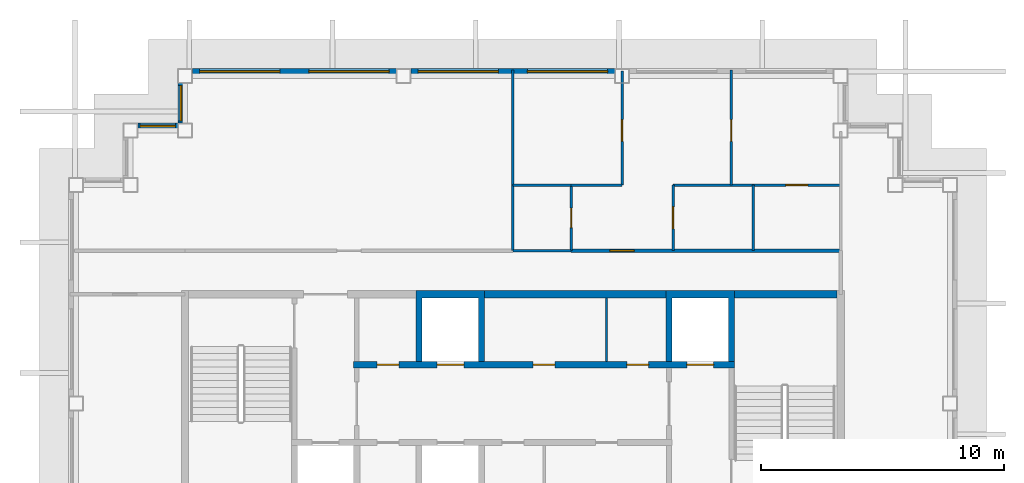
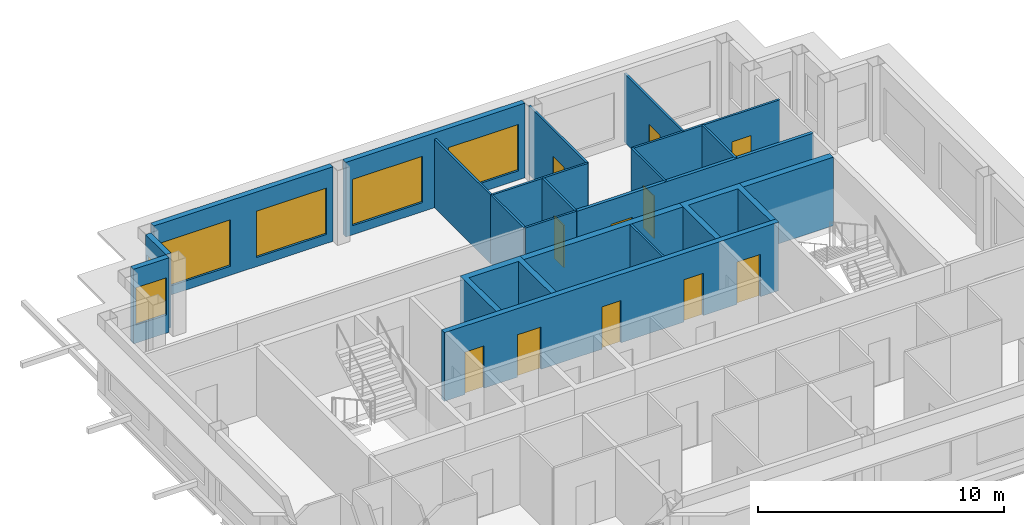
# One storey, part 4 of 10: 22 walls, 11 doors, 6 windows, 17 openings.
"""IFC4 building model written with IfcOpenShell, lengths in metres."""

from ifc_helpers import new_model, si_unit, direction, frame, frame_2d, origin, place, context, subcontext, project, spatial, polyline, rectangle, outline, extrude, material, layer, layer_set, type_object, element, fill, save


model = new_model("IFC4")

# Units and contexts
model_context = context("Model", 3, precision=1e-05, world=origin(), true_north=direction((0.0, 1.0)))
body_context = subcontext(model_context, "Body", "Model", "MODEL_VIEW")
ifc_project = project(units=[si_unit("LENGTHUNIT", "METRE"), si_unit("AREAUNIT", "SQUARE_METRE"), si_unit("VOLUMEUNIT", "CUBIC_METRE"), si_unit("PLANEANGLEUNIT", "RADIAN"), si_unit("MASSUNIT", "GRAM", prefix="KILO")], contexts=[model_context])

# Site, building, storey
site_placement = place(None, origin())
site = spatial("IfcSite", under=ifc_project, at=site_placement, CompositionType="ELEMENT")
building_placement = place(site_placement, origin())
building = spatial("IfcBuilding", under=site, at=building_placement, Name="Caravel Reach Hotel and Residences", CompositionType="ELEMENT")
storey_placement = place(building_placement, frame((0.0, 0.0, 290.800048828125)))
storey = spatial("IfcBuildingStorey", under=building, at=storey_placement, Name="L74", CompositionType="ELEMENT", Elevation=290.800048828125)

# Walls
ifc_material_1 = material(Name="Gypsum board on steel stud", Category="steel")
ifc_layer_1 = layer(ifc_material_1, 0.10009765625)
ifc_layer_set_1 = layer_set([ifc_layer_1], Name="Bathroom pod wall 100 mm")
wall_type_1 = type_object("IfcWallType", Name="Bathroom pod wall 100 mm", PredefinedType="PARTITIONING", material=ifc_layer_set_1)
for number, where, z_axis, x_axis, name in (
    (1, (31.5, 33.300048828125, 0.0), (0.0, 0.0, 1.0), (1.0, 0.0, 0.0), "L74 wall w052"),
    (2, (31.5, 36.0, 0.0), (0.0, 0.0, 1.0), (1.0, 0.0, 0.0), "L74 wall w053"),
):
    element("IfcWall", number, at=place(storey_placement, frame(where, z_axis=z_axis, x_axis=x_axis)), inside=storey, type_object=wall_type_1, Name=name, PredefinedType="PARTITIONING", context=body_context, shape_type="SweptSolid", body=[
        extrude(rectangle(XDim=2.39990234375, YDim=0.10009765625, at=frame_2d((1.199951171875, 0.0))), origin(), (0.0, 0.0, 1.0), 3.39990234375),
    ])
wall_1_placement = place(storey_placement, frame((31.5, 33.300048828125, 0.0), z_axis=(0.0, 0.0, 1.0), x_axis=(0.0, 1.0, 0.0)))
element("IfcWall", 3, at=wall_1_placement, inside=storey, type_object=wall_type_1, Name="L74 wall w057", PredefinedType="PARTITIONING", context=body_context, shape_type="SweptSolid", body=[
    extrude(rectangle(XDim=2.699951171875, YDim=0.10009765625, at=frame_2d((1.35009765625, 0.0))), origin(), (0.0, 0.0, 1.0), 3.39990234375),
])

# Wall, opening, door
wall_2_placement = place(storey_placement, frame((33.89990234375, 33.300048828125, 0.0), z_axis=(0.0, 0.0, 1.0), x_axis=(0.0, 1.0, 0.0)))
wall_2 = element("IfcWall", 4, at=wall_2_placement, inside=storey, type_object=wall_type_1, Name="L74 wall w059", PredefinedType="PARTITIONING", context=body_context, shape_type="SweptSolid", body=[
    extrude(rectangle(XDim=2.699951171875, YDim=0.10009765625, at=frame_2d((1.35009765625, 0.0))), origin(), (0.0, 0.0, 1.0), 3.39990234375),
])
opening_1_placement = place(wall_2_placement, frame((0.949951171875, 0.0, 0.0)))
opening_1 = element("IfcOpeningElement", 5, at=opening_1_placement, cuts=wall_2, Name="Opening D74-019", PredefinedType="OPENING", context=body_context, shape_type="SweptSolid", body=[
    extrude(rectangle(XDim=0.800048828125, YDim=2.10009765625, at=frame_2d((0.39990234375, 1.050048828125))), frame((0.0, 0.06005859375, 0.0), z_axis=(0.0, -1.0, 0.0), x_axis=(1.0, 0.0, 0.0)), (0.0, 0.0, 1.0), 0.1201171875),
])
ifc_material_2 = material(Name="Timber and steel door leaf", Category="steel")
door_type_1 = type_object("IfcDoorType", Name="Bathroom door 800 x 2100", OperationType="SINGLE_SWING_LEFT", PredefinedType="DOOR", material=ifc_material_2)
door_1_placement = place(opening_1_placement, origin())
door_1 = element("IfcDoor", 6, at=door_1_placement, inside=storey, type_object=door_type_1, Name="door D74-019", OperationType="SINGLE_SWING_RIGHT", OverallHeight=2.10009765625, OverallWidth=0.800048828125, PredefinedType="DOOR", context=body_context, shape_type="SweptSolid", body=[
    extrude(rectangle(XDim=0.800048828125, YDim=2.10009765625, at=frame_2d((0.39990234375, 1.050048828125))), frame((0.0, 0.02490234375, 0.0), z_axis=(0.0, -1.0, 0.0), x_axis=(1.0, 0.0, 0.0)), (0.0, 0.0, 1.0), 0.050048828125),
])
fill(opening_1, door_1)

# Walls
ifc_material_3 = material(Name="Concrete C60", Category="concrete")
ifc_layer_2 = layer(ifc_material_3, 0.300048828125)
ifc_layer_set_2 = layer_set([ifc_layer_2], Name="Core wall 300 mm EI 120")
wall_type_2 = type_object("IfcWallType", Name="Core wall 300 mm EI 120", PredefinedType="SHEAR", material=ifc_layer_set_2)
wall_3_placement = place(storey_placement, frame((30.33935546875, 31.5, 0.0), z_axis=(0.0, 0.0, 1.0), x_axis=(1.0, 0.0, 0.0)))
element("IfcWall", 7, at=wall_3_placement, inside=storey, type_object=wall_type_2, Name="L74 core wall N2", PredefinedType="SHEAR", context=body_context, shape_type="SweptSolid", body=[
    extrude(rectangle(XDim=7.464111328125, YDim=0.300048828125, at=frame_2d((3.73193359375, 0.0))), origin(), (0.0, 0.0, 1.0), 3.39990234375),
])
wall_4_placement = place(storey_placement, frame((40.625, 31.5, 0.0), z_axis=(0.0, 0.0, 1.0), x_axis=(1.0, 0.0, 0.0)))
element("IfcWall", 8, at=wall_4_placement, inside=storey, type_object=wall_type_2, Name="L74 core wall N3", PredefinedType="SHEAR", context=body_context, shape_type="SweptSolid", body=[
    extrude(rectangle(XDim=4.22509765625, YDim=0.300048828125, at=frame_2d((2.112548828125, 0.0))), origin(), (0.0, 0.0, 1.0), 3.39990234375),
])

# Wall, opening, door
ifc_material_4 = material(Name="Gypsum board on steel stud, fire-rated", Category="steel")
ifc_layer_3 = layer(ifc_material_4, 0.14990234375)
ifc_layer_set_3 = layer_set([ifc_layer_3], Name="Corridor wall 150 mm EI 60")
wall_type_3 = type_object("IfcWallType", Name="Corridor wall 150 mm EI 60", PredefinedType="PARTITIONING", material=ifc_layer_set_3)
wall_5_placement = place(storey_placement, frame((33.89990234375, 33.300048828125, 0.0), z_axis=(0.0, 0.0, 1.0), x_axis=(1.0, 0.0, 0.0)))
wall_5 = element("IfcWall", 9, at=wall_5_placement, inside=storey, type_object=wall_type_3, Name="L74 wall w012", PredefinedType="PARTITIONING", context=body_context, shape_type="SweptSolid", body=[
    extrude(rectangle(XDim=11.10009765625, YDim=0.14990234375, at=frame_2d((5.550048828125, 0.0))), origin(), (0.0, 0.0, 1.0), 3.39990234375),
])
opening_2_placement = place(wall_5_placement, frame((1.60009765625, 0.0, 0.0)))
opening_2 = element("IfcOpeningElement", 10, at=opening_2_placement, cuts=wall_5, Name="Opening D74-018", PredefinedType="OPENING", context=body_context, shape_type="SweptSolid", body=[
    extrude(rectangle(XDim=1.0, YDim=2.199951171875, at=frame_2d((0.5, 1.10009765625))), frame((0.0, 0.0849609375, 0.0), z_axis=(0.0, -1.0, 0.0), x_axis=(1.0, 0.0, 0.0)), (0.0, 0.0, 1.0), 0.169921875),
])
ifc_material_5 = material(Name="Steel fire door leaf", Category="steel")
door_type_2 = type_object("IfcDoorType", Name="Flat entrance door 1000 x 2200 EI 60", OperationType="SINGLE_SWING_LEFT", PredefinedType="DOOR", material=ifc_material_5)
door_2_placement = place(opening_2_placement, origin())
door_2 = element("IfcDoor", 11, at=door_2_placement, inside=storey, type_object=door_type_2, Name="door D74-018", OperationType="SINGLE_SWING_RIGHT", OverallHeight=2.199951171875, OverallWidth=1.0, PredefinedType="DOOR", context=body_context, shape_type="SweptSolid", body=[
    extrude(rectangle(XDim=1.0, YDim=2.199951171875, at=frame_2d((0.5, 1.10009765625))), frame((0.0, 0.02490234375, 0.0), z_axis=(0.0, -1.0, 0.0), x_axis=(1.0, 0.0, 0.0)), (0.0, 0.0, 1.0), 0.050048828125),
])
fill(opening_2, door_2)

# Wall, openings, windows
ifc_material_6 = material(Name="Insulated rainscreen wall, aluminium cladding", Category="aluminium")
ifc_layer_4 = layer(ifc_material_6, 0.25)
ifc_layer_set_4 = layer_set([ifc_layer_4], Name="EW1 Tower rainscreen wall")
wall_type_4 = type_object("IfcWallType", Name="EW1 Tower rainscreen wall", PredefinedType="SOLIDWALL", material=ifc_layer_set_4)
wall_6_placement = place(storey_placement, frame((35.699951171875, 40.675048828125, 0.0), z_axis=(0.0, 0.0, 1.0), x_axis=(-1.0, 0.0, 0.0)))
wall_6 = element("IfcWall", 12, at=wall_6_placement, inside=storey, type_object=wall_type_4, Name="External wall L74 N10.2", PredefinedType="SOLIDWALL", context=body_context, shape_type="SweptSolid", body=[
    extrude(rectangle(XDim=8.39990234375, YDim=0.25, at=frame_2d((4.199951171875, 0.0))), origin(), (0.0, 0.0, 1.0), 3.699951171875),
])
opening_3_placement = place(wall_6_placement, frame((0.300048828125, 0.0, 0.449951171875)))
opening_3 = element("IfcOpeningElement", 13, at=opening_3_placement, cuts=wall_6, Name="Opening WN15", PredefinedType="OPENING", context=body_context, shape_type="SweptSolid", body=[
    extrude(rectangle(XDim=3.300048828125, YDim=2.300048828125, at=frame_2d((1.64990234375, 1.14990234375))), frame((0.0, 0.135009765625, 0.0), z_axis=(0.0, -1.0, 0.0), x_axis=(1.0, 0.0, 0.0)), (0.0, 0.0, 1.0), 0.27001953125),
])
opening_4_placement = place(wall_6_placement, frame((4.800048828125, 0.0, 0.449951171875)))
opening_4 = element("IfcOpeningElement", 14, at=opening_4_placement, cuts=wall_6, Name="Opening WN15", PredefinedType="OPENING", context=body_context, shape_type="SweptSolid", body=[
    extrude(rectangle(XDim=3.300048828125, YDim=2.300048828125, at=frame_2d((1.64990234375, 1.14990234375))), frame((0.0, 0.135009765625, 0.0), z_axis=(0.0, -1.0, 0.0), x_axis=(1.0, 0.0, 0.0)), (0.0, 0.0, 1.0), 0.27001953125),
])
ifc_material_7 = material(Name="Dark low-e glazing in black aluminium frame", Category="aluminium")
window_type_1 = type_object("IfcWindowType", Name="Residence living window 3300 x 2300", PartitioningType="SINGLE_PANEL", PredefinedType="WINDOW", material=ifc_material_7)
window_1_placement = place(opening_3_placement, origin())
window_1 = element("IfcWindow", 15, at=window_1_placement, inside=storey, type_object=window_type_1, Name="Window L74 N10.2.1", OverallHeight=2.300048828125, OverallWidth=3.300048828125, PartitioningType="SINGLE_PANEL", PredefinedType="WINDOW", context=body_context, shape_type="SweptSolid", body=[
    extrude(rectangle(XDim=3.300048828125, YDim=2.300048828125, at=frame_2d((1.64990234375, 1.14990234375))), frame((0.0, 0.030029296875, 0.0), z_axis=(0.0, -1.0, 0.0), x_axis=(1.0, 0.0, 0.0)), (0.0, 0.0, 1.0), 0.06005859375),
])
fill(opening_3, window_1)
window_2_placement = place(opening_4_placement, origin())
window_2 = element("IfcWindow", 16, at=window_2_placement, inside=storey, type_object=window_type_1, Name="Window L74 N10.2.2", OverallHeight=2.300048828125, OverallWidth=3.300048828125, PartitioningType="SINGLE_PANEL", PredefinedType="WINDOW", context=body_context, shape_type="SweptSolid", body=[
    extrude(rectangle(XDim=3.300048828125, YDim=2.300048828125, at=frame_2d((1.64990234375, 1.14990234375))), frame((0.0, 0.030029296875, 0.0), z_axis=(0.0, -1.0, 0.0), x_axis=(1.0, 0.0, 0.0)), (0.0, 0.0, 1.0), 0.06005859375),
])
fill(opening_4, window_2)

wall_7_placement = place(storey_placement, frame((26.699951171875, 40.675048828125, 0.0), z_axis=(0.0, 0.0, 1.0), x_axis=(-1.0, 0.0, 0.0)))
wall_7 = element("IfcWall", 17, at=wall_7_placement, inside=storey, type_object=wall_type_4, Name="External wall L74 N10.3", PredefinedType="SOLIDWALL", context=body_context, shape_type="SweptSolid", body=[
    extrude(rectangle(XDim=8.39990234375, YDim=0.25, at=frame_2d((4.199951171875, 0.0))), origin(), (0.0, 0.0, 1.0), 3.699951171875),
])
opening_5_placement = place(wall_7_placement, frame((0.300048828125, 0.0, 0.449951171875)))
opening_5 = element("IfcOpeningElement", 18, at=opening_5_placement, cuts=wall_7, Name="Opening WN15", PredefinedType="OPENING", context=body_context, shape_type="SweptSolid", body=[
    extrude(rectangle(XDim=3.300048828125, YDim=2.300048828125, at=frame_2d((1.64990234375, 1.14990234375))), frame((0.0, 0.135009765625, 0.0), z_axis=(0.0, -1.0, 0.0), x_axis=(1.0, 0.0, 0.0)), (0.0, 0.0, 1.0), 0.27001953125),
])
opening_6_placement = place(wall_7_placement, frame((4.800048828125, 0.0, 0.449951171875)))
opening_6 = element("IfcOpeningElement", 19, at=opening_6_placement, cuts=wall_7, Name="Opening WN15", PredefinedType="OPENING", context=body_context, shape_type="SweptSolid", body=[
    extrude(rectangle(XDim=3.300048828125, YDim=2.300048828125, at=frame_2d((1.64990234375, 1.14990234375))), frame((0.0, 0.135009765625, 0.0), z_axis=(0.0, -1.0, 0.0), x_axis=(1.0, 0.0, 0.0)), (0.0, 0.0, 1.0), 0.27001953125),
])
window_3_placement = place(opening_5_placement, origin())
window_3 = element("IfcWindow", 20, at=window_3_placement, inside=storey, type_object=window_type_1, Name="Window L74 N10.3.1", OverallHeight=2.300048828125, OverallWidth=3.300048828125, PartitioningType="SINGLE_PANEL", PredefinedType="WINDOW", context=body_context, shape_type="SweptSolid", body=[
    extrude(rectangle(XDim=3.300048828125, YDim=2.300048828125, at=frame_2d((1.64990234375, 1.14990234375))), frame((0.0, 0.030029296875, 0.0), z_axis=(0.0, -1.0, 0.0), x_axis=(1.0, 0.0, 0.0)), (0.0, 0.0, 1.0), 0.06005859375),
])
fill(opening_5, window_3)
window_4_placement = place(opening_6_placement, origin())
window_4 = element("IfcWindow", 21, at=window_4_placement, inside=storey, type_object=window_type_1, Name="Window L74 N10.3.2", OverallHeight=2.300048828125, OverallWidth=3.300048828125, PartitioningType="SINGLE_PANEL", PredefinedType="WINDOW", context=body_context, shape_type="SweptSolid", body=[
    extrude(rectangle(XDim=3.300048828125, YDim=2.300048828125, at=frame_2d((1.64990234375, 1.14990234375))), frame((0.0, 0.030029296875, 0.0), z_axis=(0.0, -1.0, 0.0), x_axis=(1.0, 0.0, 0.0)), (0.0, 0.0, 1.0), 0.06005859375),
])
fill(opening_6, window_4)

# Wall, opening, window
wall_8_placement = place(storey_placement, frame((17.824951171875, 40.199951171875, 0.0), z_axis=(0.0, 0.0, 1.0), x_axis=(0.0, -1.0, 0.0)))
wall_8 = element("IfcWall", 22, at=wall_8_placement, inside=storey, type_object=wall_type_4, Name="External wall L74 W11.1", PredefinedType="SOLIDWALL", context=body_context, shape_type="SweptSolid", body=[
    extrude(rectangle(XDim=1.64990234375, YDim=0.25, at=frame_2d((0.824951171875, 0.0))), origin(), (0.0, 0.0, 1.0), 3.699951171875),
])
opening_7_placement = place(wall_8_placement, frame((0.10009765625, 0.0, 0.89990234375)))
opening_7 = element("IfcOpeningElement", 23, at=opening_7_placement, cuts=wall_8, Name="Opening WN25", PredefinedType="OPENING", context=body_context, shape_type="SweptSolid", body=[
    extrude(rectangle(XDim=1.449951171875, YDim=1.85009765625, at=frame_2d((0.72509765625, 0.925048828125))), frame((0.0, 0.135009765625, 0.0), z_axis=(0.0, -1.0, 0.0), x_axis=(1.0, 0.0, 0.0)), (0.0, 0.0, 1.0), 0.27001953125),
])
ifc_material_8 = material(Name="Dark low-e glazing in black aluminium frame", Category="aluminium")
window_type_2 = type_object("IfcWindowType", Name="Residence bedroom window 1450 x 1850", PartitioningType="SINGLE_PANEL", PredefinedType="WINDOW", material=ifc_material_8)
window_5_placement = place(opening_7_placement, origin())
window_5 = element("IfcWindow", 24, at=window_5_placement, inside=storey, type_object=window_type_2, Name="Window L74 W11.1.1", OverallHeight=1.85009765625, OverallWidth=1.449951171875, PartitioningType="SINGLE_PANEL", PredefinedType="WINDOW", context=body_context, shape_type="SweptSolid", body=[
    extrude(rectangle(XDim=1.449951171875, YDim=1.85009765625, at=frame_2d((0.72509765625, 0.925048828125))), frame((0.0, 0.030029296875, 0.0), z_axis=(0.0, -1.0, 0.0), x_axis=(1.0, 0.0, 0.0)), (0.0, 0.0, 1.0), 0.06005859375),
])
fill(opening_7, window_5)

wall_9_placement = place(storey_placement, frame((17.699951171875, 38.425048828125, 0.0), z_axis=(0.0, 0.0, 1.0), x_axis=(-1.0, 0.0, 0.0)))
wall_9 = element("IfcWall", 25, at=wall_9_placement, inside=storey, type_object=wall_type_4, Name="External wall L74 N12.1", PredefinedType="SOLIDWALL", context=body_context, shape_type="SweptSolid", body=[
    extrude(rectangle(XDim=1.64990234375, YDim=0.25, at=frame_2d((0.824951171875, 0.0))), origin(), (0.0, 0.0, 1.0), 3.699951171875),
])
opening_8_placement = place(wall_9_placement, frame((0.10009765625, 0.0, 0.89990234375)))
opening_8 = element("IfcOpeningElement", 26, at=opening_8_placement, cuts=wall_9, Name="Opening WN25", PredefinedType="OPENING", context=body_context, shape_type="SweptSolid", body=[
    extrude(rectangle(XDim=1.449951171875, YDim=1.85009765625, at=frame_2d((0.72509765625, 0.925048828125))), frame((0.0, 0.135009765625, 0.0), z_axis=(0.0, -1.0, 0.0), x_axis=(1.0, 0.0, 0.0)), (0.0, 0.0, 1.0), 0.27001953125),
])
window_6_placement = place(opening_8_placement, origin())
window_6 = element("IfcWindow", 27, at=window_6_placement, inside=storey, type_object=window_type_2, Name="Window L74 N12.1.1", OverallHeight=1.85009765625, OverallWidth=1.449951171875, PartitioningType="SINGLE_PANEL", PredefinedType="WINDOW", context=body_context, shape_type="SweptSolid", body=[
    extrude(rectangle(XDim=1.449951171875, YDim=1.85009765625, at=frame_2d((0.72509765625, 0.925048828125))), frame((0.0, 0.030029296875, 0.0), z_axis=(0.0, -1.0, 0.0), x_axis=(1.0, 0.0, 0.0)), (0.0, 0.0, 1.0), 0.06005859375),
])
fill(opening_8, window_6)

# Walls
ifc_material_9 = material(Name="Gypsum board on steel stud", Category="steel")
ifc_layer_5 = layer(ifc_material_9, 0.10009765625)
ifc_layer_set_5 = layer_set([ifc_layer_5], Name="Partition 100 mm")
wall_type_5 = type_object("IfcWallType", Name="Partition 100 mm", PredefinedType="PARTITIONING", material=ifc_layer_set_5)
wall_10_placement = place(storey_placement, frame((35.357177734375, 28.72509765625, 0.0), z_axis=(0.0, 0.0, 1.0), x_axis=(0.0, 1.0, 0.0)))
element("IfcWall", 28, at=wall_10_placement, inside=storey, type_object=wall_type_5, Name="L74 store partition", PredefinedType="PARTITIONING", context=body_context, shape_type="SweptSolid", body=[
    extrude(rectangle(XDim=2.625, YDim=0.10009765625, at=frame_2d((1.3125, 0.0))), origin(), (0.0, 0.0, 1.0), 3.39990234375),
])
wall_11_placement = place(storey_placement, frame((33.89990234375, 36.0, 0.0), z_axis=(0.0, 0.0, 1.0), x_axis=(1.0, 0.0, 0.0)))
element("IfcWall", 29, at=wall_11_placement, inside=storey, type_object=wall_type_5, Name="L74 wall w024", PredefinedType="PARTITIONING", context=body_context, shape_type="SweptSolid", body=[
    extrude(rectangle(XDim=2.10009765625, YDim=0.10009765625, at=frame_2d((1.050048828125, 0.0))), origin(), (0.0, 0.0, 1.0), 3.39990234375),
])

# Wall, opening, door
wall_12_placement = place(storey_placement, frame((38.10009765625, 36.0, 0.0), z_axis=(0.0, 0.0, 1.0), x_axis=(1.0, 0.0, 0.0)))
wall_12 = element("IfcWall", 30, at=wall_12_placement, inside=storey, type_object=wall_type_5, Name="L74 wall w026", PredefinedType="PARTITIONING", context=body_context, shape_type="SweptSolid", body=[
    extrude(rectangle(XDim=6.89990234375, YDim=0.10009765625, at=frame_2d((3.449951171875, 0.0))), origin(), (0.0, 0.0, 1.0), 3.39990234375),
])
opening_9_placement = place(wall_12_placement, frame((4.650146484375, 0.0, 0.0)))
opening_9 = element("IfcOpeningElement", 31, at=opening_9_placement, cuts=wall_12, Name="Opening D74-021", PredefinedType="OPENING", context=body_context, shape_type="SweptSolid", body=[
    extrude(rectangle(XDim=0.89990234375, YDim=2.10009765625, at=frame_2d((0.449951171875, 1.050048828125))), frame((0.0, 0.06005859375, 0.0), z_axis=(0.0, -1.0, 0.0), x_axis=(1.0, 0.0, 0.0)), (0.0, 0.0, 1.0), 0.1201171875),
])
ifc_material_10 = material(Name="Timber and steel door leaf", Category="steel")
door_type_3 = type_object("IfcDoorType", Name="Door 900 x 2100 timber", OperationType="SINGLE_SWING_LEFT", PredefinedType="DOOR", material=ifc_material_10)
door_3_placement = place(opening_9_placement, origin())
door_3 = element("IfcDoor", 32, at=door_3_placement, inside=storey, type_object=door_type_3, Name="door D74-021", OperationType="SINGLE_SWING_LEFT", OverallHeight=2.10009765625, OverallWidth=0.89990234375, PredefinedType="DOOR", context=body_context, shape_type="SweptSolid", body=[
    extrude(rectangle(XDim=0.89990234375, YDim=2.10009765625, at=frame_2d((0.449951171875, 1.050048828125))), frame((0.0, 0.02490234375, 0.0), z_axis=(0.0, -1.0, 0.0), x_axis=(1.0, 0.0, 0.0)), (0.0, 0.0, 1.0), 0.050048828125),
])
fill(opening_9, door_3)

# Wall
wall_13_placement = place(storey_placement, frame((31.5, 36.0, 0.0), z_axis=(0.0, 0.0, 1.0), x_axis=(0.0, 1.0, 0.0)))
element("IfcWall", 33, at=wall_13_placement, inside=storey, type_object=wall_type_5, Name="L74 wall w031", PredefinedType="PARTITIONING", context=body_context, shape_type="SweptSolid", body=[
    extrude(rectangle(XDim=4.739990234375, YDim=0.10009765625, at=frame_2d((2.3701171875, 0.0))), origin(), (0.0, 0.0, 1.0), 3.39990234375),
])

# Wall, opening, door
wall_14_placement = place(storey_placement, frame((36.0, 36.0, 0.0), z_axis=(0.0, 0.0, 1.0), x_axis=(0.0, 1.0, 0.0)))
wall_14 = element("IfcWall", 34, at=wall_14_placement, inside=storey, type_object=wall_type_5, Name="L74 wall w033", PredefinedType="PARTITIONING", context=body_context, shape_type="SweptSolid", body=[
    extrude(rectangle(XDim=4.68994140625, YDim=0.10009765625, at=frame_2d((2.344970703125, 0.0))), origin(), (0.0, 0.0, 1.0), 3.39990234375),
])
opening_10_placement = place(wall_14_placement, frame((1.800048828125, 0.0, 0.0)))
opening_10 = element("IfcOpeningElement", 35, at=opening_10_placement, cuts=wall_14, Name="Opening D74-022", PredefinedType="OPENING", context=body_context, shape_type="SweptSolid", body=[
    extrude(rectangle(XDim=0.89990234375, YDim=2.10009765625, at=frame_2d((0.449951171875, 1.050048828125))), frame((0.0, 0.06005859375, 0.0), z_axis=(0.0, -1.0, 0.0), x_axis=(1.0, 0.0, 0.0)), (0.0, 0.0, 1.0), 0.1201171875),
])
door_4_placement = place(opening_10_placement, origin())
door_4 = element("IfcDoor", 36, at=door_4_placement, inside=storey, type_object=door_type_3, Name="door D74-022", OperationType="SINGLE_SWING_RIGHT", OverallHeight=2.10009765625, OverallWidth=0.89990234375, PredefinedType="DOOR", context=body_context, shape_type="SweptSolid", body=[
    extrude(rectangle(XDim=0.89990234375, YDim=2.10009765625, at=frame_2d((0.449951171875, 1.050048828125))), frame((0.0, 0.02490234375, 0.0), z_axis=(0.0, -1.0, 0.0), x_axis=(1.0, 0.0, 0.0)), (0.0, 0.0, 1.0), 0.050048828125),
])
fill(opening_10, door_4)

wall_15_placement = place(storey_placement, frame((38.10009765625, 33.300048828125, 0.0), z_axis=(0.0, 0.0, 1.0), x_axis=(0.0, 1.0, 0.0)))
wall_15 = element("IfcWall", 37, at=wall_15_placement, inside=storey, type_object=wall_type_5, Name="L74 wall w034", PredefinedType="PARTITIONING", context=body_context, shape_type="SweptSolid", body=[
    extrude(rectangle(XDim=2.699951171875, YDim=0.10009765625, at=frame_2d((1.35009765625, 0.0))), origin(), (0.0, 0.0, 1.0), 3.39990234375),
])
opening_11_placement = place(wall_15_placement, frame((0.89990234375, 0.0, 0.0)))
opening_11 = element("IfcOpeningElement", 38, at=opening_11_placement, cuts=wall_15, Name="Opening D74-020", PredefinedType="OPENING", context=body_context, shape_type="SweptSolid", body=[
    extrude(rectangle(XDim=0.89990234375, YDim=2.10009765625, at=frame_2d((0.449951171875, 1.050048828125))), frame((0.0, 0.06005859375, 0.0), z_axis=(0.0, -1.0, 0.0), x_axis=(1.0, 0.0, 0.0)), (0.0, 0.0, 1.0), 0.1201171875),
])
door_5_placement = place(opening_11_placement, origin())
door_5 = element("IfcDoor", 39, at=door_5_placement, inside=storey, type_object=door_type_3, Name="door D74-020", OperationType="SINGLE_SWING_RIGHT", OverallHeight=2.10009765625, OverallWidth=0.89990234375, PredefinedType="DOOR", context=body_context, shape_type="SweptSolid", body=[
    extrude(rectangle(XDim=0.89990234375, YDim=2.10009765625, at=frame_2d((0.449951171875, 1.050048828125))), frame((0.0, 0.02490234375, 0.0), z_axis=(0.0, -1.0, 0.0), x_axis=(1.0, 0.0, 0.0)), (0.0, 0.0, 1.0), 0.050048828125),
])
fill(opening_11, door_5)

wall_16_placement = place(storey_placement, frame((40.5, 36.0, 0.0), z_axis=(0.0, 0.0, 1.0), x_axis=(0.0, 1.0, 0.0)))
wall_16 = element("IfcWall", 40, at=wall_16_placement, inside=storey, type_object=wall_type_5, Name="L74 wall w036", PredefinedType="PARTITIONING", context=body_context, shape_type="SweptSolid", body=[
    extrude(rectangle(XDim=4.739990234375, YDim=0.10009765625, at=frame_2d((2.3701171875, 0.0))), origin(), (0.0, 0.0, 1.0), 3.39990234375),
])
opening_12_placement = place(wall_16_placement, frame((1.800048828125, 0.0, 0.0)))
opening_12 = element("IfcOpeningElement", 41, at=opening_12_placement, cuts=wall_16, Name="Opening D74-023", PredefinedType="OPENING", context=body_context, shape_type="SweptSolid", body=[
    extrude(rectangle(XDim=0.89990234375, YDim=2.10009765625, at=frame_2d((0.449951171875, 1.050048828125))), frame((0.0, 0.06005859375, 0.0), z_axis=(0.0, -1.0, 0.0), x_axis=(1.0, 0.0, 0.0)), (0.0, 0.0, 1.0), 0.1201171875),
])
door_6_placement = place(opening_12_placement, origin())
door_6 = element("IfcDoor", 42, at=door_6_placement, inside=storey, type_object=door_type_3, Name="door D74-023", OperationType="SINGLE_SWING_LEFT", OverallHeight=2.10009765625, OverallWidth=0.89990234375, PredefinedType="DOOR", context=body_context, shape_type="SweptSolid", body=[
    extrude(rectangle(XDim=0.89990234375, YDim=2.10009765625, at=frame_2d((0.449951171875, 1.050048828125))), frame((0.0, 0.02490234375, 0.0), z_axis=(0.0, -1.0, 0.0), x_axis=(1.0, 0.0, 0.0)), (0.0, 0.0, 1.0), 0.050048828125),
])
fill(opening_12, door_6)

# Walls
wall_17_placement = place(storey_placement, frame((41.39990234375, 33.300048828125, 0.0), z_axis=(0.0, 0.0, 1.0), x_axis=(0.0, 1.0, 0.0)))
element("IfcWall", 43, at=wall_17_placement, inside=storey, type_object=wall_type_5, Name="L74 wall w038", PredefinedType="PARTITIONING", context=body_context, shape_type="SweptSolid", body=[
    extrude(rectangle(XDim=2.699951171875, YDim=0.10009765625, at=frame_2d((1.35009765625, 0.0))), origin(), (0.0, 0.0, 1.0), 3.39990234375),
])
ifc_material_11 = material(Name="Concrete C60", Category="concrete")
ifc_layer_6 = layer(ifc_material_11, 0.25)
ifc_layer_set_6 = layer_set([ifc_layer_6], Name="Shaft wall 250 mm EI 120")
wall_type_6 = type_object("IfcWallType", Name="Shaft wall 250 mm EI 120", PredefinedType="SHEAR", material=ifc_layer_set_6)
wall_18_placement = place(storey_placement, origin())
element("IfcWall", 44, at=wall_18_placement, inside=storey, type_object=wall_type_6, Name="L74 lift shaft wall N1", PredefinedType="SHEAR", context=body_context, shape_type="SweptSolid", body=[
    extrude(outline(polyline([(27.517822265625, 28.72509765625), (27.767822265625, 28.72509765625), (27.767822265625, 31.35009765625), (30.08935546875, 31.35009765625), (30.08935546875, 28.72509765625), (30.33935546875, 28.72509765625), (30.33935546875, 31.64990234375), (27.517822265625, 31.64990234375), (27.517822265625, 28.72509765625)])), origin(), (0.0, 0.0, 1.0), 3.39990234375),
])
wall_19_placement = place(storey_placement, origin())
element("IfcWall", 45, at=wall_19_placement, inside=storey, type_object=wall_type_6, Name="L74 lift shaft wall N2", PredefinedType="SHEAR", context=body_context, shape_type="SweptSolid", body=[
    extrude(outline(polyline([(37.803466796875, 28.72509765625), (38.053466796875, 28.72509765625), (38.053466796875, 31.35009765625), (40.375, 31.35009765625), (40.375, 28.72509765625), (40.625, 28.72509765625), (40.625, 31.64990234375), (37.803466796875, 31.64990234375), (37.803466796875, 28.72509765625)])), origin(), (0.0, 0.0, 1.0), 3.39990234375),
])

# Wall, openings, doors
wall_20_placement = place(storey_placement, frame((24.946533203125, 28.60009765625, 0.0), z_axis=(0.0, 0.0, 1.0), x_axis=(1.0, 0.0, 0.0)))
wall_20 = element("IfcWall", 46, at=wall_20_placement, inside=storey, type_object=wall_type_6, Name="L74 lobby wall N1", PredefinedType="SHEAR", context=body_context, shape_type="SweptSolid", body=[
    extrude(rectangle(XDim=15.678466796875, YDim=0.25, at=frame_2d((7.83935546875, 0.0))), origin(), (0.0, 0.0, 1.0), 3.39990234375),
])
opening_13_placement = place(wall_20_placement, frame((3.43212890625, 0.0, 0.0)))
opening_13 = element("IfcOpeningElement", 47, at=opening_13_placement, cuts=wall_20, Name="Opening D74-002", PredefinedType="OPENING", context=body_context, shape_type="SweptSolid", body=[
    extrude(rectangle(XDim=1.10009765625, YDim=2.10009765625, at=frame_2d((0.550048828125, 1.050048828125))), frame((0.0, 0.135009765625, 0.0), z_axis=(0.0, -1.0, 0.0), x_axis=(1.0, 0.0, 0.0)), (0.0, 0.0, 1.0), 0.27001953125),
])
opening_14_placement = place(wall_20_placement, frame((13.718017578125, 0.0, 0.0)))
opening_14 = element("IfcOpeningElement", 48, at=opening_14_placement, cuts=wall_20, Name="Opening D74-004", PredefinedType="OPENING", context=body_context, shape_type="SweptSolid", body=[
    extrude(rectangle(XDim=1.10009765625, YDim=2.10009765625, at=frame_2d((0.550048828125, 1.050048828125))), frame((0.0, 0.135009765625, 0.0), z_axis=(0.0, -1.0, 0.0), x_axis=(1.0, 0.0, 0.0)), (0.0, 0.0, 1.0), 0.27001953125),
])
opening_15_placement = place(wall_20_placement, frame((0.960693359375, 0.0, 0.0)))
opening_15 = element("IfcOpeningElement", 49, at=opening_15_placement, cuts=wall_20, Name="Opening D74-008", PredefinedType="OPENING", context=body_context, shape_type="SweptSolid", body=[
    extrude(rectangle(XDim=0.89990234375, YDim=2.10009765625, at=frame_2d((0.449951171875, 1.050048828125))), frame((0.0, 0.135009765625, 0.0), z_axis=(0.0, -1.0, 0.0), x_axis=(1.0, 0.0, 0.0)), (0.0, 0.0, 1.0), 0.27001953125),
])
opening_16_placement = place(wall_20_placement, frame((7.389404296875, 0.0, 0.0)))
opening_16 = element("IfcOpeningElement", 50, at=opening_16_placement, cuts=wall_20, Name="Opening D74-009", PredefinedType="OPENING", context=body_context, shape_type="SweptSolid", body=[
    extrude(rectangle(XDim=0.89990234375, YDim=2.10009765625, at=frame_2d((0.449951171875, 1.050048828125))), frame((0.0, 0.135009765625, 0.0), z_axis=(0.0, -1.0, 0.0), x_axis=(1.0, 0.0, 0.0)), (0.0, 0.0, 1.0), 0.27001953125),
])
opening_17_placement = place(wall_20_placement, frame((11.246337890625, 0.0, 0.0)))
opening_17 = element("IfcOpeningElement", 51, at=opening_17_placement, cuts=wall_20, Name="Opening D74-010", PredefinedType="OPENING", context=body_context, shape_type="SweptSolid", body=[
    extrude(rectangle(XDim=0.89990234375, YDim=2.10009765625, at=frame_2d((0.449951171875, 1.050048828125))), frame((0.0, 0.135009765625, 0.0), z_axis=(0.0, -1.0, 0.0), x_axis=(1.0, 0.0, 0.0)), (0.0, 0.0, 1.0), 0.27001953125),
])
ifc_material_12 = material(Name="Stainless steel landing door", Category="steel")
door_type_4 = type_object("IfcDoorType", Name="Landing door LD 1100 x 2100 sliding", OperationType="DOUBLE_DOOR_SLIDING", PredefinedType="DOOR", material=ifc_material_12)
door_7_placement = place(opening_13_placement, origin())
door_7 = element("IfcDoor", 52, at=door_7_placement, inside=storey, type_object=door_type_4, Name="HP2 landing door", OperationType="DOUBLE_DOOR_SLIDING", OverallHeight=2.10009765625, OverallWidth=1.10009765625, PredefinedType="DOOR", context=body_context, shape_type="SweptSolid", body=[
    extrude(rectangle(XDim=1.10009765625, YDim=2.10009765625, at=frame_2d((0.550048828125, 1.050048828125))), frame((0.0, 0.02490234375, 0.0), z_axis=(0.0, -1.0, 0.0), x_axis=(1.0, 0.0, 0.0)), (0.0, 0.0, 1.0), 0.050048828125),
])
fill(opening_13, door_7)
door_8_placement = place(opening_14_placement, origin())
door_8 = element("IfcDoor", 53, at=door_8_placement, inside=storey, type_object=door_type_4, Name="FL2 landing door", OperationType="DOUBLE_DOOR_SLIDING", OverallHeight=2.10009765625, OverallWidth=1.10009765625, PredefinedType="DOOR", context=body_context, shape_type="SweptSolid", body=[
    extrude(rectangle(XDim=1.10009765625, YDim=2.10009765625, at=frame_2d((0.550048828125, 1.050048828125))), frame((0.0, 0.02490234375, 0.0), z_axis=(0.0, -1.0, 0.0), x_axis=(1.0, 0.0, 0.0)), (0.0, 0.0, 1.0), 0.050048828125),
])
fill(opening_14, door_8)
ifc_material_13 = material(Name="Steel fire door leaf", Category="steel")
door_type_5 = type_object("IfcDoorType", Name="Riser door 900 x 2100 EI 60", OperationType="SINGLE_SWING_LEFT", PredefinedType="DOOR", material=ifc_material_13)
door_9_placement = place(opening_15_placement, origin())
door_9 = element("IfcDoor", 54, at=door_9_placement, inside=storey, type_object=door_type_5, Name="Housekeeping store door", OperationType="SINGLE_SWING_LEFT", OverallHeight=2.10009765625, OverallWidth=0.89990234375, PredefinedType="DOOR", context=body_context, shape_type="SweptSolid", body=[
    extrude(rectangle(XDim=0.89990234375, YDim=2.10009765625, at=frame_2d((0.449951171875, 1.050048828125))), frame((0.0, 0.02490234375, 0.0), z_axis=(0.0, -1.0, 0.0), x_axis=(1.0, 0.0, 0.0)), (0.0, 0.0, 1.0), 0.050048828125),
])
fill(opening_15, door_9)
door_10_placement = place(opening_16_placement, origin())
door_10 = element("IfcDoor", 55, at=door_10_placement, inside=storey, type_object=door_type_5, Name="Mail store door", OperationType="SINGLE_SWING_LEFT", OverallHeight=2.10009765625, OverallWidth=0.89990234375, PredefinedType="DOOR", context=body_context, shape_type="SweptSolid", body=[
    extrude(rectangle(XDim=0.89990234375, YDim=2.10009765625, at=frame_2d((0.449951171875, 1.050048828125))), frame((0.0, 0.02490234375, 0.0), z_axis=(0.0, -1.0, 0.0), x_axis=(1.0, 0.0, 0.0)), (0.0, 0.0, 1.0), 0.050048828125),
])
fill(opening_16, door_10)
door_11_placement = place(opening_17_placement, origin())
door_11 = element("IfcDoor", 56, at=door_11_placement, inside=storey, type_object=door_type_5, Name="Package store door", OperationType="SINGLE_SWING_LEFT", OverallHeight=2.10009765625, OverallWidth=0.89990234375, PredefinedType="DOOR", context=body_context, shape_type="SweptSolid", body=[
    extrude(rectangle(XDim=0.89990234375, YDim=2.10009765625, at=frame_2d((0.449951171875, 1.050048828125))), frame((0.0, 0.02490234375, 0.0), z_axis=(0.0, -1.0, 0.0), x_axis=(1.0, 0.0, 0.0)), (0.0, 0.0, 1.0), 0.050048828125),
])
fill(opening_17, door_11)

save(model, "model.ifc")
